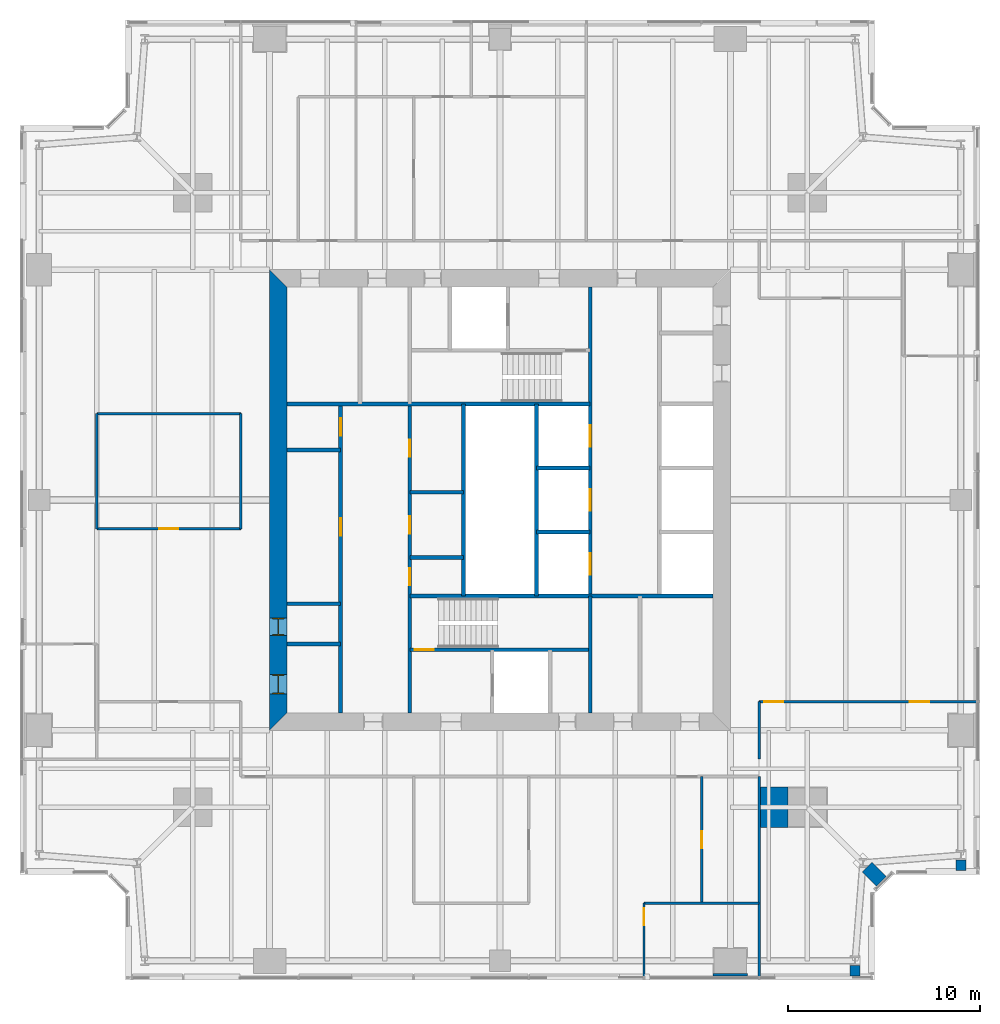
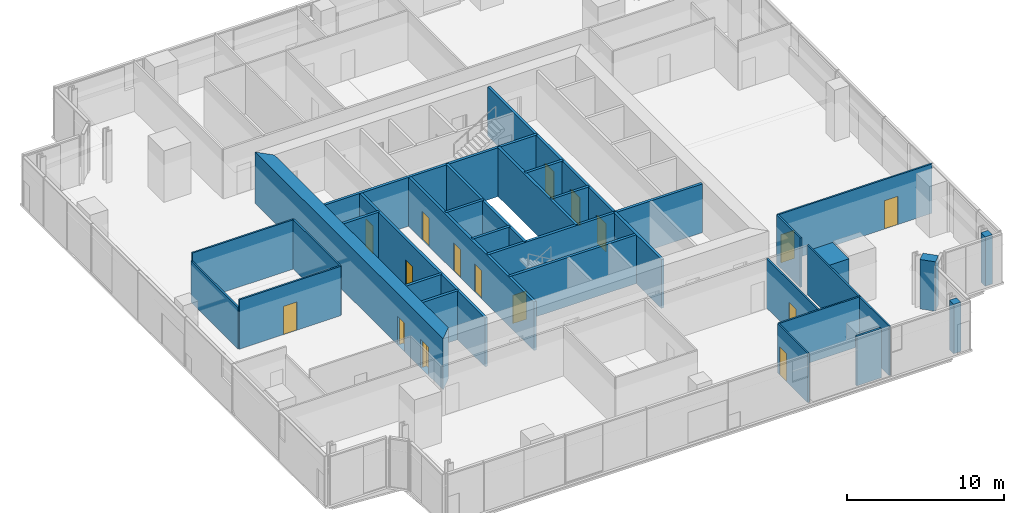
# One storey, part 11 of 15: 32 walls, 16 doors, 16 openings.
"""IFC4 building model written with IfcOpenShell, lengths in metres."""

import ifcopenshell
import ifcopenshell.guid

model = None  # the IFC model being written
_history = None  # IfcOwnerHistory: only IFC2X3 demands one
_inside = {}  # id of a spatial element -> (the spatial element, [elements in it])
_under = {}  # id of a project, library or spatial element -> (it, [spatial elements below it])
_declared = {}  # id of a project -> (the project, [libraries it declares])
_typed = {}  # id of a type object -> (the type object, [elements of that type])
_made_of = {}  # id of a material, layer set ... -> (it, [elements and type objects made of it])


def new_model(schema):
    """Start an empty IFC model of exactly this schema.

    Asked for "IFC4X3", IfcOpenShell would pick the latest addendum, in which some entities
    have other attributes; the version numbers below select the first issue.
    IFC2X3 requires an IfcOwnerHistory on every rooted entity: one is made here for all.
    """
    global model, _history
    if schema == "IFC4X3":
        model = ifcopenshell.file(schema_version=(4, 3, 0, 0))
    else:
        model = ifcopenshell.file(schema=schema)
    _inside.clear()
    _under.clear()
    _declared.clear()
    _typed.clear()
    _made_of.clear()
    _history = None
    if model.schema == "IFC2X3":
        org = make("IfcOrganization", Name="unknown")
        user = make(
            "IfcPersonAndOrganization",
            ThePerson=make("IfcPerson", FamilyName="unknown"),
            TheOrganization=org,
        )
        app = make(
            "IfcApplication",
            ApplicationDeveloper=org,
            Version="unknown",
            ApplicationFullName="unknown",
            ApplicationIdentifier="unknown",
        )
        _history = make(
            "IfcOwnerHistory",
            OwningUser=user,
            OwningApplication=app,
            ChangeAction="ADDED",
            CreationDate=0,
        )
    return model


def make(cls, **values):
    """One entity of the class cls with the attributes given. An attribute that is None is left unset."""
    return model.create_entity(
        cls, **{name: value for name, value in values.items() if value is not None}
    )


def rooted(cls, **values):
    """An entity with a GlobalId (a new one), such as an element, a storey or a relation."""
    return make(cls, GlobalId=ifcopenshell.guid.new(), OwnerHistory=_history, **values)


def si_unit(unit_type, name, prefix=None):
    """IfcSIUnit, for example si_unit("LENGTHUNIT", "METRE", prefix="MILLI")."""
    return make("IfcSIUnit", UnitType=unit_type, Prefix=prefix, Name=name)


def assignment(units):
    """IfcUnitAssignment: the units of a project."""
    return None if units is None else make("IfcUnitAssignment", Units=units)


def point(xyz):
    """IfcCartesianPoint."""
    return None if xyz is None else make("IfcCartesianPoint", Coordinates=xyz)


def direction(xyz):
    """IfcDirection."""
    return None if xyz is None else make("IfcDirection", DirectionRatios=xyz)


def frame(location, z_axis=None, x_axis=None):
    """IfcAxis2Placement3D, a coordinate frame: its origin and axes. An axis left out is left unset."""
    return make(
        "IfcAxis2Placement3D",
        Location=point(location),
        Axis=direction(z_axis),
        RefDirection=direction(x_axis),
    )


def frame_2d(location, x_axis=None):
    """IfcAxis2Placement2D, a coordinate frame in the plane: its origin and x axis."""
    return make(
        "IfcAxis2Placement2D", Location=point(location), RefDirection=direction(x_axis)
    )


def origin():
    """The frame at (0, 0, 0) with its axes left unset."""
    return frame((0.0, 0.0, 0.0))


def place(relative_to, where):
    """IfcLocalPlacement: puts the frame where relative to a parent placement (None: the world)."""
    return make(
        "IfcLocalPlacement", PlacementRelTo=relative_to, RelativePlacement=where
    )


def context(
    kind, dimensions, precision=None, world=None, true_north=None, identifier=None
):
    """IfcGeometricRepresentationContext, for example the 3D "Model" context."""
    return make(
        "IfcGeometricRepresentationContext",
        ContextIdentifier=identifier,
        ContextType=kind,
        CoordinateSpaceDimension=dimensions,
        Precision=precision,
        WorldCoordinateSystem=world,
        TrueNorth=true_north,
    )


def subcontext(parent, identifier, kind, view, scale=None):
    """IfcGeometricRepresentationSubContext, for example "Body" below "Model"."""
    return make(
        "IfcGeometricRepresentationSubContext",
        ContextIdentifier=identifier,
        ContextType=kind,
        ParentContext=parent,
        TargetScale=scale,
        TargetView=view,
    )


def project(units=None, contexts=None):
    """IfcProject with its units and contexts."""
    return rooted(
        "IfcProject",
        Name="project",
        RepresentationContexts=contexts,
        UnitsInContext=assignment(units),
    )


def spatial(cls, under=None, at=None, **own):
    """A site, building, storey or space (cls), placed at a placement, below another one or the project."""
    s = rooted(cls, ObjectPlacement=at, **own)
    if under is not None:
        _under.setdefault(under.id(), (under, []))[1].append(s)
    return s


def polyline(points):
    """IfcPolyline through the points."""
    return make("IfcPolyline", Points=[point(p) for p in points])


def profile(cls, at=None, kind="AREA", **sizes):
    """A parametric profile (cls). Its sizes go by their IFC names, for example OverallWidth=200.0."""
    return make(cls, ProfileType=kind, Position=at, **sizes)


def rectangle(**sizes):
    """IfcRectangleProfileDef."""
    return profile("IfcRectangleProfileDef", **sizes)


def outline(outer, holes=None, kind="AREA"):
    """IfcArbitraryClosedProfileDef: a profile drawn as a closed curve; with holes, ...WithVoids."""
    if holes is None:
        return make("IfcArbitraryClosedProfileDef", ProfileType=kind, OuterCurve=outer)
    return make(
        "IfcArbitraryProfileDefWithVoids",
        ProfileType=kind,
        OuterCurve=outer,
        InnerCurves=holes,
    )


def extrude(swept, where, along, depth):
    """IfcExtrudedAreaSolid: the profile swept, set in the frame where, extruded along a direction by depth."""
    return make(
        "IfcExtrudedAreaSolid",
        SweptArea=swept,
        Position=where,
        ExtrudedDirection=direction(along),
        Depth=depth,
    )


def shape(context_of_items, identifier, shape_type, items):
    """IfcShapeRepresentation: the items that make up one representation, for example the "Body"."""
    return make(
        "IfcShapeRepresentation",
        ContextOfItems=context_of_items,
        RepresentationIdentifier=identifier,
        RepresentationType=shape_type,
        Items=items,
    )


def material(Name=None, Category=None):
    """IfcMaterial."""
    return make("IfcMaterial", Name=Name, Category=Category)


def layer(
    of_material, thickness, ventilated=None, Name=None, Category=None, Priority=None
):
    """IfcMaterialLayer: one layer of a wall or slab, of a material (None: an air gap)."""
    return make(
        "IfcMaterialLayer",
        Material=of_material,
        LayerThickness=thickness,
        IsVentilated=ventilated,
        Name=Name,
        Category=Category,
        Priority=Priority,
    )


def layer_set(layers, Name=None):
    """IfcMaterialLayerSet."""
    return make("IfcMaterialLayerSet", MaterialLayers=layers, LayerSetName=Name)


def made_of(thing, what):
    """Note that an element or type object is made of a material, layer set ...; save() writes the relation."""
    if what is not None:
        _made_of.setdefault(what.id(), (what, []))[1].append(thing)
    return thing


def type_object(cls, material=None, **own):
    """A type object (cls), such as IfcWallType, which elements share."""
    return made_of(rooted(cls, **own), material)


def element(
    cls,
    number,
    at=None,
    inside=None,
    cuts=None,
    type_object=None,
    material=None,
    context=None,
    identifier="Body",
    shape_type=None,
    held_by="IfcProductDefinitionShape",
    body=None,
    shapes=None,
    **own,
):
    """One element of the class cls, such as IfcWall. Its Tag is "e" and its number.

    at: its placement. inside: the storey or other place that contains it. cuts: it is an
    opening in that element (IfcRelVoidsElement). A single representation is given by context,
    identifier, shape_type and body (its items); several are given by shapes. held_by: the class
    of the entity that holds the representations. save() writes the other relations.
    """
    e = rooted(cls, Tag="e%d" % number, ObjectPlacement=at, **own)
    if body is not None:
        shapes = [shape(context, identifier, shape_type, body)]
    if shapes is not None:
        e.Representation = make(held_by, Representations=shapes)
    if inside is not None:
        _inside.setdefault(inside.id(), (inside, []))[1].append(e)
    if cuts is not None:
        rooted(
            "IfcRelVoidsElement", RelatingBuildingElement=cuts, RelatedOpeningElement=e
        )
    if type_object is not None:
        _typed.setdefault(type_object.id(), (type_object, []))[1].append(e)
    return made_of(e, material)


def fill(opening, filler):
    """IfcRelFillsElement: the door or window that sits in an opening."""
    return rooted(
        "IfcRelFillsElement",
        RelatingOpeningElement=opening,
        RelatedBuildingElement=filler,
    )


def aggregate(whole, parts):
    """IfcRelAggregates: a whole, such as a stair, and the parts it consists of."""
    return rooted("IfcRelAggregates", RelatingObject=whole, RelatedObjects=parts)


def save(model, path):
    """Write the relations noted so far, then the file.

    IfcRelAggregates (storeys below a building ...), IfcRelContainedInSpatialStructure (elements
    in a storey), IfcRelDefinesByType, IfcRelAssociatesMaterial and IfcRelDeclares: one each for
    every whole, place, type object, material and project.
    """
    for whole, parts in _under.values():
        aggregate(whole, parts)
    for where, things in _inside.values():
        rooted(
            "IfcRelContainedInSpatialStructure",
            RelatedElements=things,
            RelatingStructure=where,
        )
    for kind, things in _typed.values():
        rooted("IfcRelDefinesByType", RelatedObjects=things, RelatingType=kind)
    for what, things in _made_of.values():
        rooted("IfcRelAssociatesMaterial", RelatedObjects=things, RelatingMaterial=what)
    for by, libraries in _declared.values():
        rooted("IfcRelDeclares", RelatingContext=by, RelatedDefinitions=libraries)
    model.write(path)


model = new_model("IFC4")

# Units and contexts
model_context = context("Model", 3, precision=1e-05, world=origin(), true_north=direction((0.0, 1.0)))
body_context = subcontext(model_context, "Body", "Model", "MODEL_VIEW")
ifc_project = project(units=[si_unit("LENGTHUNIT", "METRE"), si_unit("AREAUNIT", "SQUARE_METRE"), si_unit("VOLUMEUNIT", "CUBIC_METRE"), si_unit("PLANEANGLEUNIT", "RADIAN"), si_unit("MASSUNIT", "GRAM", prefix="KILO")], contexts=[model_context])

# Site, building, storey
site_placement = place(None, origin())
site = spatial("IfcSite", under=ifc_project, at=site_placement, CompositionType="ELEMENT")
building_placement = place(site_placement, origin())
building = spatial("IfcBuilding", under=site, at=building_placement, Name="Fenwick Lantern Interchange", CompositionType="ELEMENT")
storey_placement = place(building_placement, frame((0.0, 0.0, 209.800048828125)))
storey = spatial("IfcBuildingStorey", under=building, at=storey_placement, Name="L49", CompositionType="ELEMENT", Elevation=209.800048828125)

# Walls
ifc_material_1 = material(Name="Fire-rated gypsum board encasement on steel studs, 2 hour", Category="steel")
ifc_layer_1 = layer(ifc_material_1, 1.800048828125)
ifc_layer_set_1 = layer_set([ifc_layer_1], Name="COLUMN PIER 1800")
wall_type_1 = type_object("IfcWallType", Name="COLUMN PIER 1800", PredefinedType="PARTITIONING", material=ifc_layer_set_1)
wall_1_placement = place(storey_placement, frame((37.0, 0.199951171875, 0.0), z_axis=(0.0, 0.0, 1.0), x_axis=(0.0, 1.0, 0.0)))
element("IfcWall", 1, at=wall_1_placement, inside=storey, type_object=wall_type_1, Name="L49/W/PIER/CS4", PredefinedType="PARTITIONING", context=body_context, shape_type="SweptSolid", body=[
    extrude(rectangle(XDim=0.150146484375, YDim=1.800048828125, at=frame_2d((0.0751953125, 0.0))), origin(), (0.0, 0.0, 1.0), 3.849853515625),
])
ifc_layer_2 = layer(ifc_material_1, 2.10009765625)
ifc_layer_set_2 = layer_set([ifc_layer_2], Name="COLUMN PIER 2100")
wall_type_2 = type_object("IfcWallType", Name="COLUMN PIER 2100", PredefinedType="PARTITIONING", material=ifc_layer_set_2)
wall_2_placement = place(storey_placement, frame((38.5625, 9.0, 0.0), z_axis=(0.0, 0.0, 1.0), x_axis=(1.0, 0.0, 0.0)))
element("IfcWall", 2, at=wall_2_placement, inside=storey, type_object=wall_type_2, Name="L49/W/PIER/M2", PredefinedType="PARTITIONING", context=body_context, shape_type="SweptSolid", body=[
    extrude(rectangle(XDim=1.4375, YDim=2.10009765625, at=frame_2d((0.71875, 0.0))), origin(), (0.0, 0.0, 1.0), 3.849853515625),
])
ifc_layer_3 = layer(ifc_material_1, 0.52392578125)
ifc_layer_set_3 = layer_set([ifc_layer_3], Name="COLUMN PIER 524")
wall_type_3 = type_object("IfcWallType", Name="COLUMN PIER 524", PredefinedType="PARTITIONING", material=ifc_layer_set_3)
for number, where, z_axis, x_axis, name in (
    (3, (43.5, 0.199951171875, 0.0), (0.0, 0.0, 1.0), (0.0, 1.0, 0.0), "L49/W/PIER/CS5"),
    (4, (49.0, 5.699951171875, 0.0), (0.0, 0.0, 1.0), (0.0, 1.0, 0.0), "L49/W/PIER/CE1"),
):
    element("IfcWall", number, at=place(storey_placement, frame(where, z_axis=z_axis, x_axis=x_axis)), inside=storey, type_object=wall_type_3, Name=name, PredefinedType="PARTITIONING", context=body_context, shape_type="SweptSolid", body=[
        extrude(rectangle(XDim=0.5625, YDim=0.52392578125, at=frame_2d((0.28125, 0.0))), origin(), (0.0, 0.0, 1.0), 3.849853515625),
    ])
ifc_layer_4 = layer(ifc_material_1, 0.736083984375)
ifc_layer_set_4 = layer_set([ifc_layer_4], Name="COLUMN PIER 736")
wall_type_4 = type_object("IfcWallType", Name="COLUMN PIER 736", PredefinedType="PARTITIONING", material=ifc_layer_set_4)
wall_3_placement = place(storey_placement, frame((44.858642578125, 5.141357421875, 0.0), z_axis=(0.0, 0.0, 1.0), x_axis=(-0.707106781187, 0.707106781187, 0.0)))
element("IfcWall", 5, at=wall_3_placement, inside=storey, type_object=wall_type_4, Name="L49/W/PIER/CSR", PredefinedType="PARTITIONING", context=body_context, shape_type="SweptSolid", body=[
    extrude(rectangle(XDim=1.037841796875, YDim=0.736083984375, at=frame_2d((0.51904296875, 0.0))), origin(), (0.0, 0.0, 1.0), 3.849853515625),
])

# Wall, openings, doors
ifc_material_2 = material(Name="Concrete masonry ASTM C90 Grade N", Category="masonry")
ifc_layer_5 = layer(ifc_material_2, 0.199951171875)
ifc_layer_set_5 = layer_set([ifc_layer_5], Name="Concrete masonry ASTM C90 Grade N")
wall_type_5 = type_object("IfcWallType", Name="CORE PARTITION 200", PredefinedType="PARTITIONING", material=ifc_layer_set_5)
wall_4_placement = place(storey_placement, frame((16.699951171875, 13.89990234375, 0.0), z_axis=(0.0, 0.0, 1.0), x_axis=(0.0, 1.0, 0.0)))
wall_4 = element("IfcWall", 6, at=wall_4_placement, inside=storey, type_object=wall_type_5, Name="L49/W/CORES/a", PredefinedType="PARTITIONING", context=body_context, shape_type="SweptSolid", body=[
    extrude(rectangle(XDim=16.10009765625, YDim=0.199951171875, at=frame_2d((8.050048828125, 0.0))), origin(), (0.0, 0.0, 1.0), 3.800048828125),
])
opening_1_placement = place(wall_4_placement, frame((9.25, 0.0, 0.0)))
opening_1 = element("IfcOpeningElement", 7, at=opening_1_placement, cuts=wall_4, Name="Opening L49-D009", PredefinedType="OPENING", context=body_context, shape_type="SweptSolid", body=[
    extrude(rectangle(XDim=0.89990234375, YDim=2.199951171875, at=frame_2d((0.449951171875, 1.10009765625))), frame((0.0, 0.10986328125, 0.0), z_axis=(0.0, -1.0, 0.0), x_axis=(1.0, 0.0, 0.0)), (0.0, 0.0, 1.0), 0.219970703125),
])
opening_2_placement = place(wall_4_placement, frame((14.449951171875, 0.0, 0.0)))
opening_2 = element("IfcOpeningElement", 8, at=opening_2_placement, cuts=wall_4, Name="Opening L49-D010", PredefinedType="OPENING", context=body_context, shape_type="SweptSolid", body=[
    extrude(rectangle(XDim=0.89990234375, YDim=2.199951171875, at=frame_2d((0.449951171875, 1.10009765625))), frame((0.0, 0.10986328125, 0.0), z_axis=(0.0, -1.0, 0.0), x_axis=(1.0, 0.0, 0.0)), (0.0, 0.0, 1.0), 0.219970703125),
])
ifc_material_3 = material(Name="Steel door and frame", Category="steel")
door_type_1 = type_object("IfcDoorType", Name="SERVICE DOOR 900 X 2200", OperationType="SINGLE_SWING_LEFT", PredefinedType="DOOR", material=ifc_material_3)
door_1_placement = place(opening_1_placement, origin())
door_1 = element("IfcDoor", 9, at=door_1_placement, inside=storey, type_object=door_type_1, Name="Service door", OperationType="SINGLE_SWING_LEFT", OverallHeight=2.199951171875, OverallWidth=0.89990234375, PredefinedType="DOOR", context=body_context, shape_type="SweptSolid", body=[
    extrude(rectangle(XDim=0.89990234375, YDim=2.199951171875, at=frame_2d((0.449951171875, 1.10009765625))), frame((0.0, 0.02490234375, 0.0), z_axis=(0.0, -1.0, 0.0), x_axis=(1.0, 0.0, 0.0)), (0.0, 0.0, 1.0), 0.050048828125),
])
fill(opening_1, door_1)
door_2_placement = place(opening_2_placement, origin())
door_2 = element("IfcDoor", 10, at=door_2_placement, inside=storey, type_object=door_type_1, Name="Service door", OperationType="SINGLE_SWING_LEFT", OverallHeight=2.199951171875, OverallWidth=0.89990234375, PredefinedType="DOOR", context=body_context, shape_type="SweptSolid", body=[
    extrude(rectangle(XDim=0.89990234375, YDim=2.199951171875, at=frame_2d((0.449951171875, 1.10009765625))), frame((0.0, 0.02490234375, 0.0), z_axis=(0.0, -1.0, 0.0), x_axis=(1.0, 0.0, 0.0)), (0.0, 0.0, 1.0), 0.050048828125),
])
fill(opening_2, door_2)

# Walls
wall_5_placement = place(storey_placement, frame((23.10009765625, 20.0, 0.0), z_axis=(0.0, 0.0, 1.0), x_axis=(0.0, 1.0, 0.0)))
element("IfcWall", 11, at=wall_5_placement, inside=storey, type_object=wall_type_5, Name="L49/W/CORES/e3", PredefinedType="PARTITIONING", context=body_context, shape_type="SweptSolid", body=[
    extrude(rectangle(XDim=10.0, YDim=0.199951171875, at=frame_2d((5.0, 0.0))), origin(), (0.0, 0.0, 1.0), 3.800048828125),
])
for number, where, z_axis, x_axis, name in (
    (12, (13.89990234375, 17.5, 0.0), (0.0, 0.0, 1.0), (1.0, 0.0, 0.0), "L49/W/CORES/p1"),
    (13, (13.89990234375, 19.60009765625, 0.0), (0.0, 0.0, 1.0), (1.0, 0.0, 0.0), "L49/W/CORES/p2"),
    (14, (13.89990234375, 27.60009765625, 0.0), (0.0, 0.0, 1.0), (1.0, 0.0, 0.0), "L49/W/CORES/p3"),
    (15, (20.300048828125, 22.0, 0.0), (0.0, 0.0, 1.0), (1.0, 0.0, 0.0), "L49/W/CORES/q1"),
    (16, (20.300048828125, 25.39990234375, 0.0), (0.0, 0.0, 1.0), (1.0, 0.0, 0.0), "L49/W/CORES/q2"),
    (17, (29.699951171875, 26.666748046875, 0.0), (0.0, 0.0, 1.0), (-1.0, 0.0, 0.0), "L49/W/COREN/e1"),
    (18, (29.699951171875, 23.333251953125, 0.0), (0.0, 0.0, 1.0), (-1.0, 0.0, 0.0), "L49/W/COREN/e2"),
):
    element("IfcWall", number, at=place(storey_placement, frame(where, z_axis=z_axis, x_axis=x_axis)), inside=storey, type_object=wall_type_5, Name=name, PredefinedType="PARTITIONING", context=body_context, shape_type="SweptSolid", body=[
        extrude(rectangle(XDim=2.800048828125, YDim=0.199951171875, at=frame_2d((1.39990234375, 0.0))), origin(), (0.0, 0.0, 1.0), 3.800048828125),
    ])
wall_6_placement = place(storey_placement, frame((26.89990234375, 30.0, 0.0), z_axis=(0.0, 0.0, 1.0), x_axis=(0.0, -1.0, 0.0)))
element("IfcWall", 19, at=wall_6_placement, inside=storey, type_object=wall_type_5, Name="L49/W/COREN/e3", PredefinedType="PARTITIONING", context=body_context, shape_type="SweptSolid", body=[
    extrude(rectangle(XDim=10.0, YDim=0.199951171875, at=frame_2d((5.0, 0.0))), origin(), (0.0, 0.0, 1.0), 3.800048828125),
])

# Wall, openings, doors
ifc_material_4 = material(Name="Concrete f'c 70 MPa", Category="concrete")
ifc_layer_6 = layer(ifc_material_4, 0.89990234375)
ifc_layer_set_6 = layer_set([ifc_layer_6], Name="CORE WALL 900")
wall_type_6 = type_object("IfcWallType", Name="CORE WALL 900", PredefinedType="SHEAR", material=ifc_layer_set_6)
wall_7_placement = place(storey_placement, frame((13.449951171875, 36.10009765625, 0.0), z_axis=(0.0, 0.0, 1.0), x_axis=(0.0, -1.0, 0.0)))
wall_7 = element("IfcWall", 20, at=wall_7_placement, inside=storey, type_object=wall_type_6, Name="L49/CORE/W", PredefinedType="SHEAR", context=body_context, shape_type="SweptSolid", body=[
    extrude(outline(polyline([(-0.89990234375, -0.449951171875), (23.10009765625, -0.449951171875), (22.199951171875, 0.449951171875), (0.0, 0.449951171875), (-0.89990234375, -0.449951171875)])), origin(), (0.0, 0.0, 1.0), 4.0),
])
opening_3_placement = place(wall_7_placement, frame((20.199951171875, 0.0, 0.0)))
opening_3 = element("IfcOpeningElement", 21, at=opening_3_placement, cuts=wall_7, Name="Opening L49-D007", PredefinedType="OPENING", context=body_context, shape_type="SweptSolid", body=[
    extrude(rectangle(XDim=1.0, YDim=2.199951171875, at=frame_2d((0.5, 1.10009765625))), frame((0.0, 0.4599609375, 0.0), z_axis=(0.0, -1.0, 0.0), x_axis=(1.0, 0.0, 0.0)), (0.0, 0.0, 1.0), 0.919921875),
])
opening_4_placement = place(wall_7_placement, frame((17.25, 0.0, 0.0)))
opening_4 = element("IfcOpeningElement", 22, at=opening_4_placement, cuts=wall_7, Name="Opening L49-D008", PredefinedType="OPENING", context=body_context, shape_type="SweptSolid", body=[
    extrude(rectangle(XDim=0.89990234375, YDim=2.199951171875, at=frame_2d((0.449951171875, 1.10009765625))), frame((0.0, 0.4599609375, 0.0), z_axis=(0.0, -1.0, 0.0), x_axis=(1.0, 0.0, 0.0)), (0.0, 0.0, 1.0), 0.919921875),
])
door_3_placement = place(opening_4_placement, origin())
door_3 = element("IfcDoor", 23, at=door_3_placement, inside=storey, type_object=door_type_1, Name="Service door", OperationType="SINGLE_SWING_RIGHT", OverallHeight=2.199951171875, OverallWidth=0.89990234375, PredefinedType="DOOR", context=body_context, shape_type="SweptSolid", body=[
    extrude(rectangle(XDim=0.89990234375, YDim=2.199951171875, at=frame_2d((0.449951171875, 1.10009765625))), frame((0.0, 0.02490234375, 0.0), z_axis=(0.0, -1.0, 0.0), x_axis=(1.0, 0.0, 0.0)), (0.0, 0.0, 1.0), 0.050048828125),
    extrude(outline(polyline([(0.0, 0.0), (0.0400390625, 0.0), (0.0400390625, 2.159912109375), (0.85986328125, 2.159912109375), (0.85986328125, 0.0), (0.89990234375, 0.0), (0.89990234375, 2.199951171875), (0.0, 2.199951171875), (0.0, 0.0)])), frame((0.0, 0.300048828125, 0.0), z_axis=(0.0, -1.0, 0.0), x_axis=(1.0, 0.0, 0.0)), (0.0, 0.0, 1.0), 0.60009765625),
])
fill(opening_4, door_3)
ifc_material_5 = material(Name="Hardwood door and steel frame", Category="steel")
door_type_2 = type_object("IfcDoorType", Name="WC DOOR 1000 X 2200", OperationType="SINGLE_SWING_LEFT", PredefinedType="DOOR", material=ifc_material_5)
door_4_placement = place(opening_3_placement, origin())
door_4 = element("IfcDoor", 24, at=door_4_placement, inside=storey, type_object=door_type_2, Name="Wc door", OperationType="SINGLE_SWING_RIGHT", OverallHeight=2.199951171875, OverallWidth=1.0, PredefinedType="DOOR", context=body_context, shape_type="SweptSolid", body=[
    extrude(rectangle(XDim=1.0, YDim=2.199951171875, at=frame_2d((0.5, 1.10009765625))), frame((0.0, 0.02490234375, 0.0), z_axis=(0.0, -1.0, 0.0), x_axis=(1.0, 0.0, 0.0)), (0.0, 0.0, 1.0), 0.050048828125),
    extrude(outline(polyline([(0.0, 0.0), (0.0400390625, 0.0), (0.0400390625, 2.159912109375), (0.9599609375, 2.159912109375), (0.9599609375, 0.0), (1.0, 0.0), (1.0, 2.199951171875), (0.0, 2.199951171875), (0.0, 0.0)])), frame((0.0, 0.300048828125, 0.0), z_axis=(0.0, -1.0, 0.0), x_axis=(1.0, 0.0, 0.0)), (0.0, 0.0, 1.0), 0.60009765625),
])
fill(opening_3, door_4)

# Wall, opening, door
ifc_material_6 = material(Name="Gypsum board on steel studs, acoustic", Category="steel")
ifc_layer_7 = layer(ifc_material_6, 0.125)
ifc_layer_set_7 = layer_set([ifc_layer_7], Name="OFFICE PARTITION 125")
wall_type_7 = type_object("IfcWallType", Name="OFFICE PARTITION 125", PredefinedType="PARTITIONING", material=ifc_layer_set_7)
wall_8_placement = place(storey_placement, frame((32.5, 0.14990234375, 0.0), z_axis=(0.0, 0.0, 1.0), x_axis=(0.0, 1.0, 0.0)))
wall_8 = element("IfcWall", 25, at=wall_8_placement, inside=storey, type_object=wall_type_7, Name="L49/W/OFF/S/X325-1", PredefinedType="PARTITIONING", context=body_context, shape_type="SweptSolid", body=[
    extrude(rectangle(XDim=3.85009765625, YDim=0.125, at=frame_2d((1.925048828125, 0.0))), origin(), (0.0, 0.0, 1.0), 3.849853515625),
])
opening_5_placement = place(wall_8_placement, frame((2.699951171875, 0.0, 0.0)))
opening_5 = element("IfcOpeningElement", 26, at=opening_5_placement, cuts=wall_8, Name="Opening L49-D025", PredefinedType="OPENING", context=body_context, shape_type="SweptSolid", body=[
    extrude(rectangle(XDim=0.89990234375, YDim=2.199951171875, at=frame_2d((0.449951171875, 1.10009765625))), frame((0.0, 0.072509765625, 0.0), z_axis=(0.0, -1.0, 0.0), x_axis=(1.0, 0.0, 0.0)), (0.0, 0.0, 1.0), 0.14501953125),
])
door_type_3 = type_object("IfcDoorType", Name="OFFICE DOOR 900 X 2200", OperationType="SINGLE_SWING_LEFT", PredefinedType="DOOR", material=ifc_material_5)
door_5_placement = place(opening_5_placement, frame((0.89990234375, 0.0, 0.0), z_axis=(0.0, 0.0, 1.0), x_axis=(-1.0, 0.0, 0.0)))
door_5 = element("IfcDoor", 27, at=door_5_placement, inside=storey, type_object=door_type_3, Name="Office door", OperationType="SINGLE_SWING_LEFT", OverallHeight=2.199951171875, OverallWidth=0.89990234375, PredefinedType="DOOR", context=body_context, shape_type="SweptSolid", body=[
    extrude(rectangle(XDim=0.89990234375, YDim=2.199951171875, at=frame_2d((0.449951171875, 1.10009765625))), frame((0.0, 0.02490234375, 0.0), z_axis=(0.0, -1.0, 0.0), x_axis=(1.0, 0.0, 0.0)), (0.0, 0.0, 1.0), 0.050048828125),
])
fill(opening_5, door_5)

wall_9_placement = place(storey_placement, frame((35.5, 4.0, 0.0), z_axis=(0.0, 0.0, 1.0), x_axis=(0.0, 1.0, 0.0)))
wall_9 = element("IfcWall", 28, at=wall_9_placement, inside=storey, type_object=wall_type_7, Name="L49/W/OFF/S/X355-1", PredefinedType="PARTITIONING", context=body_context, shape_type="SweptSolid", body=[
    extrude(rectangle(XDim=6.60009765625, YDim=0.125, at=frame_2d((3.300048828125, 0.0))), origin(), (0.0, 0.0, 1.0), 3.849853515625),
])
opening_6_placement = place(wall_9_placement, frame((2.85009765625, 0.0, 0.0)))
opening_6 = element("IfcOpeningElement", 29, at=opening_6_placement, cuts=wall_9, Name="Opening L49-D026", PredefinedType="OPENING", context=body_context, shape_type="SweptSolid", body=[
    extrude(rectangle(XDim=0.89990234375, YDim=2.199951171875, at=frame_2d((0.449951171875, 1.10009765625))), frame((0.0, 0.072509765625, 0.0), z_axis=(0.0, -1.0, 0.0), x_axis=(1.0, 0.0, 0.0)), (0.0, 0.0, 1.0), 0.14501953125),
])
door_6_placement = place(opening_6_placement, frame((0.89990234375, 0.0, 0.0), z_axis=(0.0, 0.0, 1.0), x_axis=(-1.0, 0.0, 0.0)))
door_6 = element("IfcDoor", 30, at=door_6_placement, inside=storey, type_object=door_type_3, Name="Office door", OperationType="SINGLE_SWING_RIGHT", OverallHeight=2.199951171875, OverallWidth=0.89990234375, PredefinedType="DOOR", context=body_context, shape_type="SweptSolid", body=[
    extrude(rectangle(XDim=0.89990234375, YDim=2.199951171875, at=frame_2d((0.449951171875, 1.10009765625))), frame((0.0, 0.02490234375, 0.0), z_axis=(0.0, -1.0, 0.0), x_axis=(1.0, 0.0, 0.0)), (0.0, 0.0, 1.0), 0.050048828125),
])
fill(opening_6, door_6)

# Walls
wall_10_placement = place(storey_placement, frame((32.5, 4.0, 0.0), z_axis=(0.0, 0.0, 1.0), x_axis=(1.0, 0.0, 0.0)))
element("IfcWall", 31, at=wall_10_placement, inside=storey, type_object=wall_type_7, Name="L49/W/OFF/S/Y40-2", PredefinedType="PARTITIONING", context=body_context, shape_type="SweptSolid", body=[
    extrude(rectangle(XDim=6.0, YDim=0.125, at=frame_2d((3.0, 0.0))), origin(), (0.0, 0.0, 1.0), 3.849853515625),
])
wall_11_placement = place(storey_placement, frame((38.5, 0.14990234375, 0.0), z_axis=(0.0, 0.0, 1.0), x_axis=(0.0, 1.0, 0.0)))
element("IfcWall", 32, at=wall_11_placement, inside=storey, type_object=wall_type_7, Name="L49/W/OFF/E/BACK", PredefinedType="PARTITIONING", context=body_context, shape_type="SweptSolid", body=[
    extrude(rectangle(XDim=10.4501953125, YDim=0.125, at=frame_2d((5.22509765625, 0.0))), origin(), (0.0, 0.0, 1.0), 3.849853515625),
])

# Wall, openings, doors
wall_12_placement = place(storey_placement, frame((49.85009765625, 14.5, 0.0), z_axis=(0.0, 0.0, 1.0), x_axis=(-1.0, 0.0, 0.0)))
wall_12 = element("IfcWall", 33, at=wall_12_placement, inside=storey, type_object=wall_type_7, Name="L49/W/OFF/E/X145-1", PredefinedType="PARTITIONING", context=body_context, shape_type="SweptSolid", body=[
    extrude(rectangle(XDim=11.35009765625, YDim=0.125, at=frame_2d((5.675048828125, 0.0))), origin(), (0.0, 0.0, 1.0), 3.849853515625),
])
opening_7_placement = place(wall_12_placement, frame((2.5, 0.0, 0.0)))
opening_7 = element("IfcOpeningElement", 34, at=opening_7_placement, cuts=wall_12, Name="Opening L49-D027", PredefinedType="OPENING", context=body_context, shape_type="SweptSolid", body=[
    extrude(rectangle(XDim=1.0, YDim=2.199951171875, at=frame_2d((0.5, 1.10009765625))), frame((0.0, 0.072509765625, 0.0), z_axis=(0.0, -1.0, 0.0), x_axis=(1.0, 0.0, 0.0)), (0.0, 0.0, 1.0), 0.14501953125),
])
opening_8_placement = place(wall_12_placement, frame((10.10009765625, 0.0, 0.0)))
opening_8 = element("IfcOpeningElement", 35, at=opening_8_placement, cuts=wall_12, Name="Opening L49-D028", PredefinedType="OPENING", context=body_context, shape_type="SweptSolid", body=[
    extrude(rectangle(XDim=1.0, YDim=2.199951171875, at=frame_2d((0.5, 1.10009765625))), frame((0.0, 0.072509765625, 0.0), z_axis=(0.0, -1.0, 0.0), x_axis=(1.0, 0.0, 0.0)), (0.0, 0.0, 1.0), 0.14501953125),
])
door_type_4 = type_object("IfcDoorType", Name="MEETING ROOM DOOR 1000 X 2200", OperationType="SINGLE_SWING_LEFT", PredefinedType="DOOR", material=ifc_material_5)
door_7_placement = place(opening_7_placement, frame((1.0, 0.0, 0.0), z_axis=(0.0, 0.0, 1.0), x_axis=(-1.0, 0.0, 0.0)))
door_7 = element("IfcDoor", 36, at=door_7_placement, inside=storey, type_object=door_type_4, Name="Meeting room door", OperationType="SINGLE_SWING_RIGHT", OverallHeight=2.199951171875, OverallWidth=1.0, PredefinedType="DOOR", context=body_context, shape_type="SweptSolid", body=[
    extrude(rectangle(XDim=1.0, YDim=2.199951171875, at=frame_2d((0.5, 1.10009765625))), frame((0.0, 0.02490234375, 0.0), z_axis=(0.0, -1.0, 0.0), x_axis=(1.0, 0.0, 0.0)), (0.0, 0.0, 1.0), 0.050048828125),
])
fill(opening_7, door_7)
door_8_placement = place(opening_8_placement, frame((1.0, 0.0, 0.0), z_axis=(0.0, 0.0, 1.0), x_axis=(-1.0, 0.0, 0.0)))
door_8 = element("IfcDoor", 37, at=door_8_placement, inside=storey, type_object=door_type_4, Name="Meeting room door", OperationType="SINGLE_SWING_LEFT", OverallHeight=2.199951171875, OverallWidth=1.0, PredefinedType="DOOR", context=body_context, shape_type="SweptSolid", body=[
    extrude(rectangle(XDim=1.0, YDim=2.199951171875, at=frame_2d((0.5, 1.10009765625))), frame((0.0, 0.02490234375, 0.0), z_axis=(0.0, -1.0, 0.0), x_axis=(1.0, 0.0, 0.0)), (0.0, 0.0, 1.0), 0.050048828125),
])
fill(opening_8, door_8)

# Walls
wall_13_placement = place(storey_placement, frame((38.5, 11.5, 0.0), z_axis=(0.0, 0.0, 1.0), x_axis=(0.0, 1.0, 0.0)))
element("IfcWall", 38, at=wall_13_placement, inside=storey, type_object=wall_type_7, Name="L49/W/OFF/E/CWS1", PredefinedType="PARTITIONING", context=body_context, shape_type="SweptSolid", body=[
    extrude(rectangle(XDim=3.0, YDim=0.125, at=frame_2d((1.5, 0.0))), origin(), (0.0, 0.0, 1.0), 3.849853515625),
])
wall_14_placement = place(storey_placement, frame((4.0, 29.5, 0.0), z_axis=(0.0, 0.0, 1.0), x_axis=(1.0, 0.0, 0.0)))
element("IfcWall", 39, at=wall_14_placement, inside=storey, type_object=wall_type_7, Name="L49/W/OFF/W/X205-1", PredefinedType="PARTITIONING", context=body_context, shape_type="SweptSolid", body=[
    extrude(rectangle(XDim=7.5, YDim=0.125, at=frame_2d((3.75, 0.0))), origin(), (0.0, 0.0, 1.0), 3.849853515625),
])

# Wall, opening, door
wall_15_placement = place(storey_placement, frame((4.0, 23.5, 0.0), z_axis=(0.0, 0.0, 1.0), x_axis=(1.0, 0.0, 0.0)))
wall_15 = element("IfcWall", 40, at=wall_15_placement, inside=storey, type_object=wall_type_7, Name="L49/W/OFF/W/X265-1", PredefinedType="PARTITIONING", context=body_context, shape_type="SweptSolid", body=[
    extrude(rectangle(XDim=7.5, YDim=0.125, at=frame_2d((3.75, 0.0))), origin(), (0.0, 0.0, 1.0), 3.849853515625),
])
opening_9_placement = place(wall_15_placement, frame((3.25, 0.0, 0.0)))
opening_9 = element("IfcOpeningElement", 41, at=opening_9_placement, cuts=wall_15, Name="Opening L49-D038", PredefinedType="OPENING", context=body_context, shape_type="SweptSolid", body=[
    extrude(rectangle(XDim=1.0, YDim=2.199951171875, at=frame_2d((0.5, 1.10009765625))), frame((0.0, 0.072509765625, 0.0), z_axis=(0.0, -1.0, 0.0), x_axis=(1.0, 0.0, 0.0)), (0.0, 0.0, 1.0), 0.14501953125),
])
door_9_placement = place(opening_9_placement, origin())
door_9 = element("IfcDoor", 42, at=door_9_placement, inside=storey, type_object=door_type_4, Name="Meeting room door", OperationType="SINGLE_SWING_LEFT", OverallHeight=2.199951171875, OverallWidth=1.0, PredefinedType="DOOR", context=body_context, shape_type="SweptSolid", body=[
    extrude(rectangle(XDim=1.0, YDim=2.199951171875, at=frame_2d((0.5, 1.10009765625))), frame((0.0, 0.02490234375, 0.0), z_axis=(0.0, -1.0, 0.0), x_axis=(1.0, 0.0, 0.0)), (0.0, 0.0, 1.0), 0.050048828125),
])
fill(opening_9, door_9)

# Walls
wall_16_placement = place(storey_placement, frame((4.0, 29.5, 0.0), z_axis=(0.0, 0.0, 1.0), x_axis=(0.0, -1.0, 0.0)))
element("IfcWall", 43, at=wall_16_placement, inside=storey, type_object=wall_type_7, Name="L49/W/OFF/W/Y40-1", PredefinedType="PARTITIONING", context=body_context, shape_type="SweptSolid", body=[
    extrude(rectangle(XDim=6.0, YDim=0.125, at=frame_2d((3.0, 0.0))), origin(), (0.0, 0.0, 1.0), 3.23779296875),
])
wall_17_placement = place(storey_placement, frame((11.5, 29.5, 0.0), z_axis=(0.0, 0.0, 1.0), x_axis=(0.0, -1.0, 0.0)))
element("IfcWall", 44, at=wall_17_placement, inside=storey, type_object=wall_type_7, Name="L49/W/OFF/W/CWS1", PredefinedType="PARTITIONING", context=body_context, shape_type="SweptSolid", body=[
    extrude(rectangle(XDim=6.0, YDim=0.125, at=frame_2d((3.0, 0.0))), origin(), (0.0, 0.0, 1.0), 3.849853515625),
])

# Wall, openings, doors
ifc_material_7 = material(Name="Concrete f'c 45 MPa", Category="concrete")
ifc_layer_8 = layer(ifc_material_7, 0.199951171875)
ifc_layer_set_8 = layer_set([ifc_layer_8], Name="STAIR CORE WALL 200")
wall_type_8 = type_object("IfcWallType", Name="STAIR CORE WALL 200", PredefinedType="SOLIDWALL", material=ifc_layer_set_8)
wall_18_placement = place(storey_placement, frame((20.300048828125, 13.89990234375, 0.0), z_axis=(0.0, 0.0, 1.0), x_axis=(0.0, 1.0, 0.0)))
wall_18 = element("IfcWall", 45, at=wall_18_placement, inside=storey, type_object=wall_type_8, Name="L49/W/CORES/b", PredefinedType="SOLIDWALL", context=body_context, shape_type="SweptSolid", body=[
    extrude(rectangle(XDim=16.10009765625, YDim=0.199951171875, at=frame_2d((8.050048828125, 0.0))), origin(), (0.0, 0.0, 1.0), 3.800048828125),
])
opening_10_placement = place(wall_18_placement, frame((6.64990234375, 0.0, 0.0)))
opening_10 = element("IfcOpeningElement", 46, at=opening_10_placement, cuts=wall_18, Name="Opening L49-D011", PredefinedType="OPENING", context=body_context, shape_type="SweptSolid", body=[
    extrude(rectangle(XDim=0.89990234375, YDim=2.199951171875, at=frame_2d((0.449951171875, 1.10009765625))), frame((0.0, 0.10986328125, 0.0), z_axis=(0.0, -1.0, 0.0), x_axis=(1.0, 0.0, 0.0)), (0.0, 0.0, 1.0), 0.219970703125),
])
opening_11_placement = place(wall_18_placement, frame((9.35009765625, 0.0, 0.0)))
opening_11 = element("IfcOpeningElement", 47, at=opening_11_placement, cuts=wall_18, Name="Opening L49-D012", PredefinedType="OPENING", context=body_context, shape_type="SweptSolid", body=[
    extrude(rectangle(XDim=0.89990234375, YDim=2.199951171875, at=frame_2d((0.449951171875, 1.10009765625))), frame((0.0, 0.10986328125, 0.0), z_axis=(0.0, -1.0, 0.0), x_axis=(1.0, 0.0, 0.0)), (0.0, 0.0, 1.0), 0.219970703125),
])
opening_12_placement = place(wall_18_placement, frame((13.35009765625, 0.0, 0.0)))
opening_12 = element("IfcOpeningElement", 48, at=opening_12_placement, cuts=wall_18, Name="Opening L49-D013", PredefinedType="OPENING", context=body_context, shape_type="SweptSolid", body=[
    extrude(rectangle(XDim=0.89990234375, YDim=2.199951171875, at=frame_2d((0.449951171875, 1.10009765625))), frame((0.0, 0.10986328125, 0.0), z_axis=(0.0, -1.0, 0.0), x_axis=(1.0, 0.0, 0.0)), (0.0, 0.0, 1.0), 0.219970703125),
])
door_10_placement = place(opening_10_placement, frame((0.89990234375, 0.0, 0.0), z_axis=(0.0, 0.0, 1.0), x_axis=(-1.0, 0.0, 0.0)))
door_10 = element("IfcDoor", 49, at=door_10_placement, inside=storey, type_object=door_type_1, Name="Service door", OperationType="SINGLE_SWING_RIGHT", OverallHeight=2.199951171875, OverallWidth=0.89990234375, PredefinedType="DOOR", context=body_context, shape_type="SweptSolid", body=[
    extrude(rectangle(XDim=0.89990234375, YDim=2.199951171875, at=frame_2d((0.449951171875, 1.10009765625))), frame((0.0, 0.02490234375, 0.0), z_axis=(0.0, -1.0, 0.0), x_axis=(1.0, 0.0, 0.0)), (0.0, 0.0, 1.0), 0.050048828125),
])
fill(opening_10, door_10)
door_11_placement = place(opening_11_placement, frame((0.89990234375, 0.0, 0.0), z_axis=(0.0, 0.0, 1.0), x_axis=(-1.0, 0.0, 0.0)))
door_11 = element("IfcDoor", 50, at=door_11_placement, inside=storey, type_object=door_type_1, Name="Service door", OperationType="SINGLE_SWING_RIGHT", OverallHeight=2.199951171875, OverallWidth=0.89990234375, PredefinedType="DOOR", context=body_context, shape_type="SweptSolid", body=[
    extrude(rectangle(XDim=0.89990234375, YDim=2.199951171875, at=frame_2d((0.449951171875, 1.10009765625))), frame((0.0, 0.02490234375, 0.0), z_axis=(0.0, -1.0, 0.0), x_axis=(1.0, 0.0, 0.0)), (0.0, 0.0, 1.0), 0.050048828125),
])
fill(opening_11, door_11)
door_12_placement = place(opening_12_placement, frame((0.89990234375, 0.0, 0.0), z_axis=(0.0, 0.0, 1.0), x_axis=(-1.0, 0.0, 0.0)))
door_12 = element("IfcDoor", 51, at=door_12_placement, inside=storey, type_object=door_type_1, Name="Service door", OperationType="SINGLE_SWING_RIGHT", OverallHeight=2.199951171875, OverallWidth=0.89990234375, PredefinedType="DOOR", context=body_context, shape_type="SweptSolid", body=[
    extrude(rectangle(XDim=0.89990234375, YDim=2.199951171875, at=frame_2d((0.449951171875, 1.10009765625))), frame((0.0, 0.02490234375, 0.0), z_axis=(0.0, -1.0, 0.0), x_axis=(1.0, 0.0, 0.0)), (0.0, 0.0, 1.0), 0.050048828125),
])
fill(opening_12, door_12)

# Wall, opening, door
wall_19_placement = place(storey_placement, frame((20.300048828125, 17.199951171875, 0.0), z_axis=(0.0, 0.0, 1.0), x_axis=(1.0, 0.0, 0.0)))
wall_19 = element("IfcWall", 52, at=wall_19_placement, inside=storey, type_object=wall_type_8, Name="L49/W/CORES/g1", PredefinedType="SOLIDWALL", context=body_context, shape_type="SweptSolid", body=[
    extrude(rectangle(XDim=9.39990234375, YDim=0.199951171875, at=frame_2d((4.699951171875, 0.0))), origin(), (0.0, 0.0, 1.0), 3.800048828125),
])
opening_13_placement = place(wall_19_placement, frame((0.25, 0.0, 0.0)))
opening_13 = element("IfcOpeningElement", 53, at=opening_13_placement, cuts=wall_19, Name="Opening L49-D003", PredefinedType="OPENING", context=body_context, shape_type="SweptSolid", body=[
    extrude(rectangle(XDim=1.0, YDim=2.199951171875, at=frame_2d((0.5, 1.10009765625))), frame((0.0, 0.10986328125, 0.0), z_axis=(0.0, -1.0, 0.0), x_axis=(1.0, 0.0, 0.0)), (0.0, 0.0, 1.0), 0.219970703125),
])
door_type_5 = type_object("IfcDoorType", Name="STAIR DOOR 1000 X 2200", OperationType="SINGLE_SWING_LEFT", PredefinedType="DOOR", material=ifc_material_3)
door_13_placement = place(opening_13_placement, origin())
door_13 = element("IfcDoor", 54, at=door_13_placement, inside=storey, type_object=door_type_5, Name="Stair door", OperationType="SINGLE_SWING_LEFT", OverallHeight=2.199951171875, OverallWidth=1.0, PredefinedType="DOOR", context=body_context, shape_type="SweptSolid", body=[
    extrude(rectangle(XDim=1.0, YDim=2.199951171875, at=frame_2d((0.5, 1.10009765625))), frame((0.0, 0.02490234375, 0.0), z_axis=(0.0, -1.0, 0.0), x_axis=(1.0, 0.0, 0.0)), (0.0, 0.0, 1.0), 0.050048828125),
])
fill(opening_13, door_13)

# Walls
wall_20_placement = place(storey_placement, frame((20.300048828125, 20.0, 0.0), z_axis=(0.0, 0.0, 1.0), x_axis=(1.0, 0.0, 0.0)))
element("IfcWall", 55, at=wall_20_placement, inside=storey, type_object=wall_type_8, Name="L49/W/CORES/g2", PredefinedType="SOLIDWALL", context=body_context, shape_type="SweptSolid", body=[
    extrude(rectangle(XDim=15.800048828125, YDim=0.199951171875, at=frame_2d((7.89990234375, 0.0))), origin(), (0.0, 0.0, 1.0), 3.800048828125),
])
wall_21_placement = place(storey_placement, frame((29.699951171875, 13.89990234375, 0.0), z_axis=(0.0, 0.0, 1.0), x_axis=(0.0, 1.0, 0.0)))
element("IfcWall", 56, at=wall_21_placement, inside=storey, type_object=wall_type_8, Name="L49/W/CORES/i1", PredefinedType="SOLIDWALL", context=body_context, shape_type="SweptSolid", body=[
    extrude(rectangle(XDim=6.10009765625, YDim=0.199951171875, at=frame_2d((3.050048828125, 0.0))), origin(), (0.0, 0.0, 1.0), 3.800048828125),
])

# Wall, openings, doors
wall_22_placement = place(storey_placement, frame((29.699951171875, 36.10009765625, 0.0), z_axis=(0.0, 0.0, 1.0), x_axis=(0.0, -1.0, 0.0)))
wall_22 = element("IfcWall", 57, at=wall_22_placement, inside=storey, type_object=wall_type_8, Name="L49/W/COREN/b", PredefinedType="SOLIDWALL", context=body_context, shape_type="SweptSolid", body=[
    extrude(rectangle(XDim=16.10009765625, YDim=0.199951171875, at=frame_2d((8.050048828125, 0.0))), origin(), (0.0, 0.0, 1.0), 3.800048828125),
])
opening_14_placement = place(wall_22_placement, frame((7.216552734375, 0.0, 0.0)))
opening_14 = element("IfcOpeningElement", 58, at=opening_14_placement, cuts=wall_22, Name="Opening LD-E2-1", PredefinedType="OPENING", context=body_context, shape_type="SweptSolid", body=[
    extrude(rectangle(XDim=1.10009765625, YDim=2.199951171875, at=frame_2d((0.550048828125, 1.10009765625))), frame((0.0, 0.10986328125, 0.0), z_axis=(0.0, -1.0, 0.0), x_axis=(1.0, 0.0, 0.0)), (0.0, 0.0, 1.0), 0.219970703125),
])
opening_15_placement = place(wall_22_placement, frame((10.550048828125, 0.0, 0.0)))
opening_15 = element("IfcOpeningElement", 59, at=opening_15_placement, cuts=wall_22, Name="Opening LD-E2-2", PredefinedType="OPENING", context=body_context, shape_type="SweptSolid", body=[
    extrude(rectangle(XDim=1.10009765625, YDim=2.199951171875, at=frame_2d((0.550048828125, 1.10009765625))), frame((0.0, 0.10986328125, 0.0), z_axis=(0.0, -1.0, 0.0), x_axis=(1.0, 0.0, 0.0)), (0.0, 0.0, 1.0), 0.219970703125),
])
opening_16_placement = place(wall_22_placement, frame((13.88330078125, 0.0, 0.0)))
opening_16 = element("IfcOpeningElement", 60, at=opening_16_placement, cuts=wall_22, Name="Opening LD-E2-3", PredefinedType="OPENING", context=body_context, shape_type="SweptSolid", body=[
    extrude(rectangle(XDim=1.10009765625, YDim=2.199951171875, at=frame_2d((0.550048828125, 1.10009765625))), frame((0.0, 0.10986328125, 0.0), z_axis=(0.0, -1.0, 0.0), x_axis=(1.0, 0.0, 0.0)), (0.0, 0.0, 1.0), 0.219970703125),
])
door_type_6 = type_object("IfcDoorType", Name="LIFT LANDING DOOR 1100 X 2200", OperationType="DOUBLE_DOOR_SLIDING", PredefinedType="DOOR", material=ifc_material_3)
door_14_placement = place(opening_14_placement, origin())
door_14 = element("IfcDoor", 61, at=door_14_placement, inside=storey, type_object=door_type_6, Name="Lift landing door E2-1", OperationType="DOUBLE_DOOR_SLIDING", OverallHeight=2.199951171875, OverallWidth=1.10009765625, PredefinedType="DOOR", context=body_context, shape_type="SweptSolid", body=[
    extrude(rectangle(XDim=1.10009765625, YDim=2.199951171875, at=frame_2d((0.550048828125, 1.10009765625))), frame((0.0, 0.02490234375, 0.0), z_axis=(0.0, -1.0, 0.0), x_axis=(1.0, 0.0, 0.0)), (0.0, 0.0, 1.0), 0.050048828125),
])
fill(opening_14, door_14)
door_15_placement = place(opening_15_placement, origin())
door_15 = element("IfcDoor", 62, at=door_15_placement, inside=storey, type_object=door_type_6, Name="Lift landing door E2-2", OperationType="DOUBLE_DOOR_SLIDING", OverallHeight=2.199951171875, OverallWidth=1.10009765625, PredefinedType="DOOR", context=body_context, shape_type="SweptSolid", body=[
    extrude(rectangle(XDim=1.10009765625, YDim=2.199951171875, at=frame_2d((0.550048828125, 1.10009765625))), frame((0.0, 0.02490234375, 0.0), z_axis=(0.0, -1.0, 0.0), x_axis=(1.0, 0.0, 0.0)), (0.0, 0.0, 1.0), 0.050048828125),
])
fill(opening_15, door_15)
door_16_placement = place(opening_16_placement, origin())
door_16 = element("IfcDoor", 63, at=door_16_placement, inside=storey, type_object=door_type_6, Name="Lift landing door E2-3", OperationType="DOUBLE_DOOR_SLIDING", OverallHeight=2.199951171875, OverallWidth=1.10009765625, PredefinedType="DOOR", context=body_context, shape_type="SweptSolid", body=[
    extrude(rectangle(XDim=1.10009765625, YDim=2.199951171875, at=frame_2d((0.550048828125, 1.10009765625))), frame((0.0, 0.02490234375, 0.0), z_axis=(0.0, -1.0, 0.0), x_axis=(1.0, 0.0, 0.0)), (0.0, 0.0, 1.0), 0.050048828125),
])
fill(opening_16, door_16)

# Wall
wall_23_placement = place(storey_placement, frame((29.699951171875, 30.0, 0.0), z_axis=(0.0, 0.0, 1.0), x_axis=(-1.0, 0.0, 0.0)))
element("IfcWall", 64, at=wall_23_placement, inside=storey, type_object=wall_type_8, Name="L49/W/COREN/g2", PredefinedType="SOLIDWALL", context=body_context, shape_type="SweptSolid", body=[
    extrude(rectangle(XDim=15.800048828125, YDim=0.199951171875, at=frame_2d((7.89990234375, 0.0))), origin(), (0.0, 0.0, 1.0), 3.800048828125),
])

save(model, "model.ifc")
